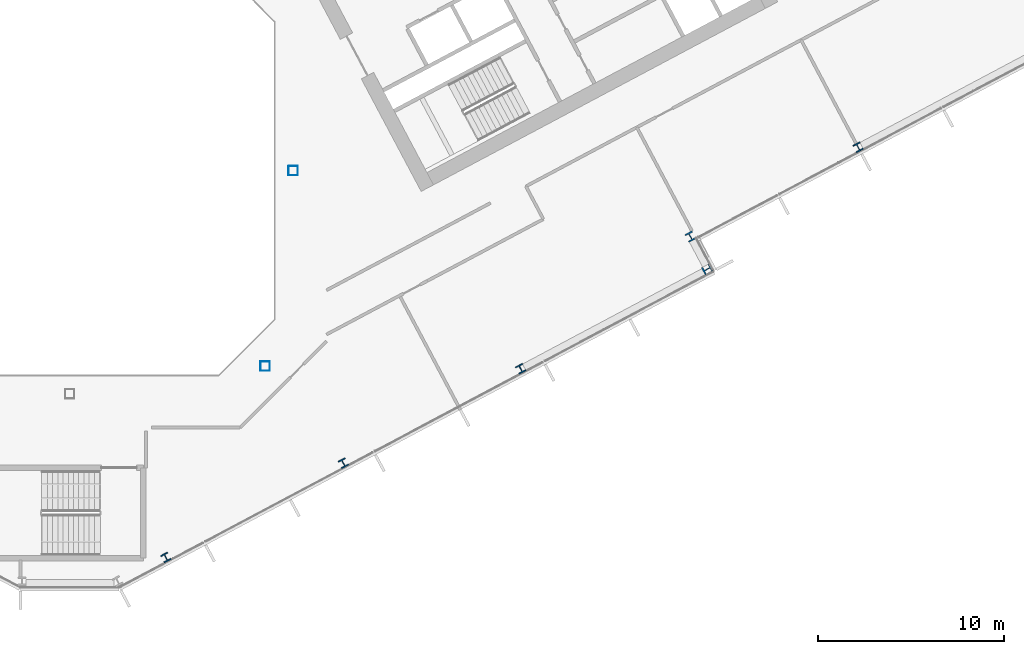
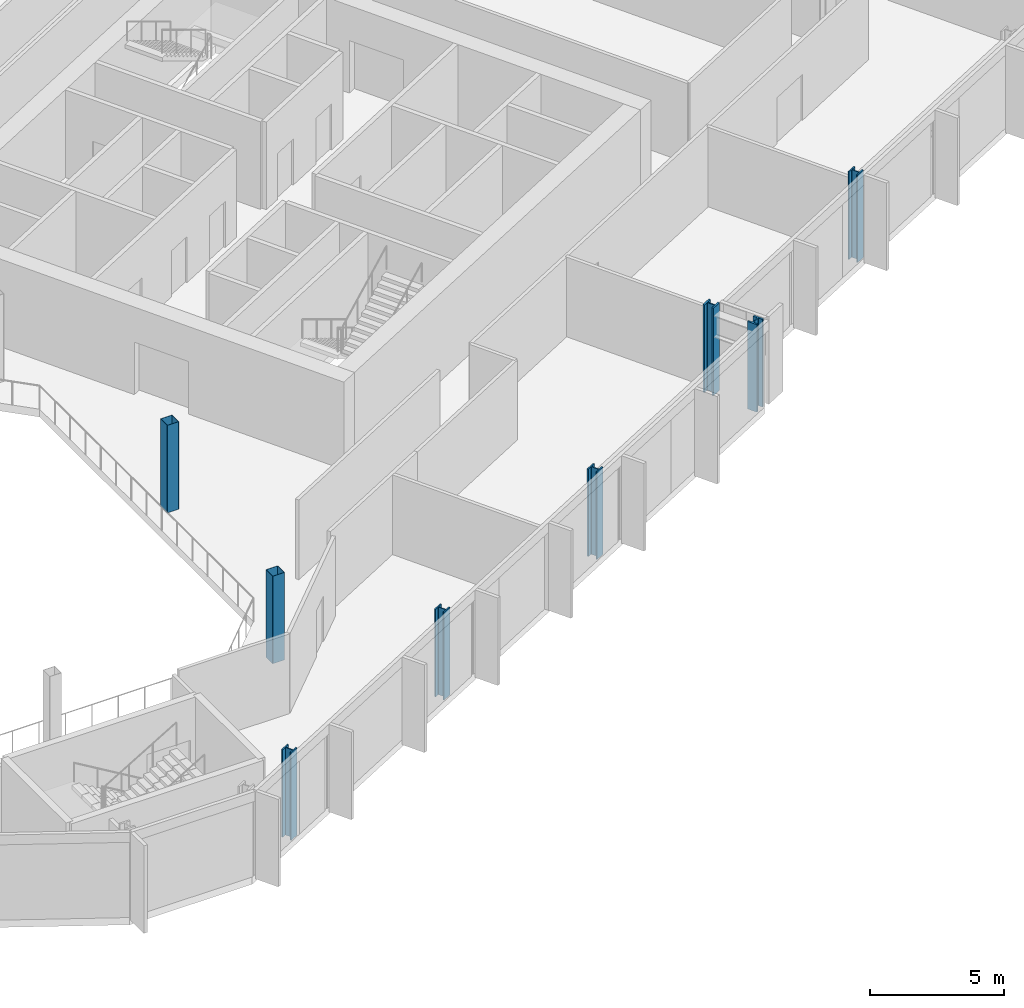
# One storey, part 5 of 28: 8 columns.
"""IFC4 building model written with IfcOpenShell, lengths in metres."""

from ifc_helpers import new_model, si_unit, direction, frame, origin, origin_2d, place, context, subcontext, project, spatial, hollow_rectangle, i_section, extrude, material, material_profile, profile_set, type_object, element, save


model = new_model("IFC4")

# Units and contexts
model_context = context("Model", 3, precision=1e-05, world=origin(), true_north=direction((0.0, 1.0)))
body_context = subcontext(model_context, "Body", "Model", "MODEL_VIEW")
ifc_project = project(units=[si_unit("LENGTHUNIT", "METRE"), si_unit("AREAUNIT", "SQUARE_METRE"), si_unit("VOLUMEUNIT", "CUBIC_METRE"), si_unit("PLANEANGLEUNIT", "RADIAN"), si_unit("MASSUNIT", "GRAM", prefix="KILO")], contexts=[model_context])

# Site, building, storey
site_placement = place(None, origin())
site = spatial("IfcSite", under=ifc_project, at=site_placement, CompositionType="ELEMENT")
building_placement = place(site_placement, origin())
building = spatial("IfcBuilding", under=site, at=building_placement, Name="Cormorant Relay Tower", CompositionType="ELEMENT")
storey_placement = place(building_placement, frame((0.0, 0.0, 134.199951171875)))
storey = spatial("IfcBuildingStorey", under=building, at=storey_placement, Name="L27", CompositionType="ELEMENT", Elevation=134.199951171875)

# Columns
ifc_material_1 = material(Name="Steel ASTM A500 Grade C (Fy 345 MPa)", Category="steel")
ifc_material_profile_1 = material_profile(ifc_material_1, hollow_rectangle(XDim=0.508056640625, YDim=0.508056640625, WallThickness=0.01171875, InnerFilletRadius=0.005859375, OuterFilletRadius=0.017822265625, at=origin_2d()), Name="HSS508x508x12")
ifc_profile_set_1 = profile_set([ifc_material_profile_1], Name="Steel ASTM A500 Grade C (Fy 345 MPa)")
column_type_1 = type_object("IfcColumnType", Name="Column HSS508x508x12", PredefinedType="COLUMN", material=ifc_profile_set_1)
for number, where, z_axis, x_axis, name in (
    (1, (10.5, -10.5, 0.0), (0.0, 0.0, 1.0), (1.0, 0.0, 0.0), "Column L27-010"),
    (2, (12.0, 0.0, 0.0), (0.0, 0.0, 1.0), (1.0, 0.0, 0.0), "Column L27-016"),
):
    element("IfcColumn", number, at=place(storey_placement, frame(where, z_axis=z_axis, x_axis=x_axis)), inside=storey, type_object=column_type_1, Name=name, PredefinedType="COLUMN", context=body_context, shape_type="SweptSolid", body=[
        extrude(hollow_rectangle(XDim=0.508056640625, YDim=0.508056640625, WallThickness=0.01171875, InnerFilletRadius=0.005859375, OuterFilletRadius=0.017822265625, at=origin_2d()), origin(), (0.0, 0.0, 1.0), 4.0),
    ])
ifc_material_2 = material(Name="Steel ASTM A992 (Fy 345 MPa)", Category="steel")
ifc_material_profile_2 = material_profile(ifc_material_2, i_section(OverallWidth=0.41162109375, OverallDepth=0.434326171875, WebThickness=0.035888671875, FlangeThickness=0.057373046875, FilletRadius=0.01513671875, at=origin_2d()), Name="W360x463")
ifc_profile_set_2 = profile_set([ifc_material_profile_2], Name="Steel ASTM A992 (Fy 345 MPa)")
column_type_2 = type_object("IfcColumnType", Name="Column W360x463", PredefinedType="COLUMN", material=ifc_profile_set_2)
for number, where, z_axis, x_axis, name in (
    (3, (5.1640625, -20.7890625, 0.0), (0.0, 0.0, 1.0), (0.882947592859, 0.469471562786, 0.0), "Column L27-003"),
    (4, (14.699951171875, -15.718994140625, 0.0), (0.0, 0.0, 1.0), (0.882947592859, 0.469471562786, 0.0), "Column L27-005"),
    (5, (24.236083984375, -10.64794921875, 0.0), (0.0, 0.0, 1.0), (0.882947592859, 0.469471562786, 0.0), "Column L27-008"),
    (6, (42.368896484375, 1.258056640625, 0.0), (0.0, 0.0, 1.0), (0.882947592859, 0.469471562786, 0.0), "Column L27-017"),
):
    element("IfcColumn", number, at=place(storey_placement, frame(where, z_axis=z_axis, x_axis=x_axis)), inside=storey, type_object=column_type_2, Name=name, PredefinedType="COLUMN", context=body_context, shape_type="SweptSolid", body=[
        extrude(i_section(OverallWidth=0.41162109375, OverallDepth=0.434326171875, WebThickness=0.035888671875, FlangeThickness=0.057373046875, FilletRadius=0.01513671875, at=origin_2d()), origin(), (0.0, 0.0, 1.0), 4.0),
    ])
ifc_material_3 = material(Name="Steel ASTM A992 (Fy 345 MPa)", Category="steel")
ifc_material_profile_3 = material_profile(ifc_material_3, i_section(OverallWidth=0.42431640625, OverallDepth=0.47509765625, WebThickness=0.0478515625, FlangeThickness=0.0771484375, FilletRadius=0.014892578125, at=origin_2d()), Name="W360x634")
ifc_profile_set_3 = profile_set([ifc_material_profile_3], Name="Steel ASTM A992 (Fy 345 MPa)")
column_type_3 = type_object("IfcColumnType", Name="Column W360x634", PredefinedType="COLUMN", material=ifc_profile_set_3)
for number, where, z_axis, x_axis, name in (
    (7, (34.256103515625, -5.297119140625, 0.0), (0.0, 0.0, 1.0), (-0.469471562786, 0.882947592859, 0.0), "Column L27-012"),
    (8, (33.35595703125, -3.54296875, 0.0), (0.0, 0.0, 1.0), (0.882947592859, 0.469471562786, 0.0), "Column L27-014"),
):
    element("IfcColumn", number, at=place(storey_placement, frame(where, z_axis=z_axis, x_axis=x_axis)), inside=storey, type_object=column_type_3, Name=name, PredefinedType="COLUMN", context=body_context, shape_type="SweptSolid", body=[
        extrude(i_section(OverallWidth=0.42431640625, OverallDepth=0.47509765625, WebThickness=0.0478515625, FlangeThickness=0.0771484375, FilletRadius=0.014892578125, at=origin_2d()), origin(), (0.0, 0.0, 1.0), 4.0),
    ])

save(model, "model.ifc")
